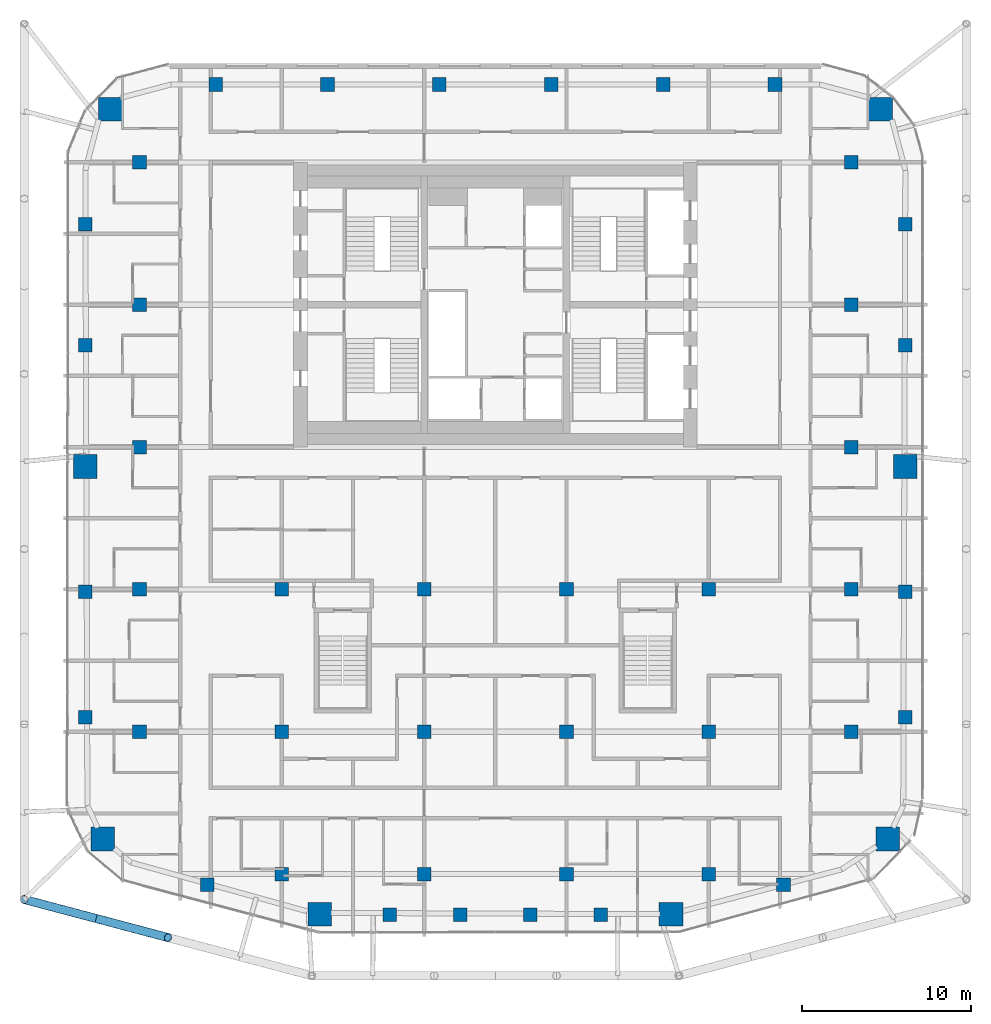
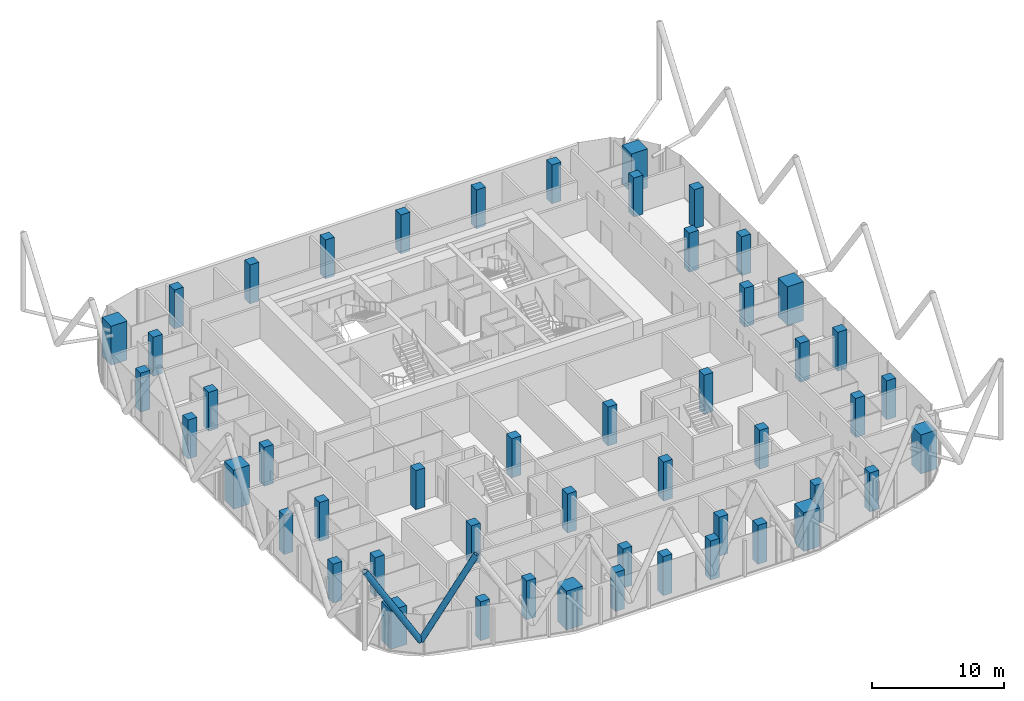
# One storey, part 1 of 31: 50 columns, 2 members.
"""IFC4 building model written with IfcOpenShell, lengths in metres."""

from ifc_helpers import new_model, si_unit, direction, frame, origin, origin_2d, place, context, subcontext, project, spatial, rectangle, hollow_circle, extrude, material, material_profile, profile_set, type_object, element, save


model = new_model("IFC4")

# Units and contexts
model_context = context("Model", 3, precision=1e-05, world=origin(), true_north=direction((0.0, 1.0)))
body_context = subcontext(model_context, "Body", "Model", "MODEL_VIEW")
ifc_project = project(units=[si_unit("LENGTHUNIT", "METRE"), si_unit("AREAUNIT", "SQUARE_METRE"), si_unit("VOLUMEUNIT", "CUBIC_METRE"), si_unit("PLANEANGLEUNIT", "RADIAN"), si_unit("MASSUNIT", "GRAM", prefix="KILO")], contexts=[model_context])

# Site, building, storey
site_placement = place(None, origin())
site = spatial("IfcSite", under=ifc_project, at=site_placement, CompositionType="ELEMENT")
building_placement = place(site_placement, origin())
building = spatial("IfcBuilding", under=site, at=building_placement, Name="Marenta Gate Hotel Tower", CompositionType="ELEMENT")
storey_placement = place(building_placement, frame((0.0, 0.0, 191.300048828125)))
storey = spatial("IfcBuildingStorey", under=building, at=storey_placement, Name="L43", CompositionType="ELEMENT", Elevation=191.300048828125)

# Columns
ifc_material_1 = material(Name="Concrete C60", Category="concrete")
ifc_material_profile_1 = material_profile(ifc_material_1, rectangle(XDim=0.800048828125, YDim=0.800048828125, at=origin_2d()), Name="800 x 800")
ifc_profile_set_1 = profile_set([ifc_material_profile_1], Name="Concrete C60")
column_type_1 = type_object("IfcColumnType", Name="Edge column 800 x 800 C60", PredefinedType="COLUMN", material=ifc_profile_set_1)
for number, where, z_axis, x_axis, name in (
    (1, (-24.199951171875, -15.951904296875, 0.0), (0.0, 0.0, 1.0), (1.0, 0.0, 0.0), "L43-EC-SW-W-1"),
    (2, (-24.199951171875, -8.55078125, 0.0), (0.0, 0.0, 1.0), (1.0, 0.0, 0.0), "L43-EC-SW-W-2"),
    (3, (-24.199951171875, 6.003173828125, 0.0), (0.0, 0.0, 1.0), (1.0, 0.0, 0.0), "L43-EC-W-NW-1"),
    (4, (-24.199951171875, 13.156494140625, 0.0), (0.0, 0.0, 1.0), (1.0, 0.0, 0.0), "L43-EC-W-NW-2"),
    (5, (-16.5068359375, 21.39990234375, 0.0), (0.0, 0.0, 1.0), (1.0, 0.0, 0.0), "L43-EC-NW-NE-1"),
    (6, (-9.904052734375, 21.39990234375, 0.0), (0.0, 0.0, 1.0), (1.0, 0.0, 0.0), "L43-EC-NW-NE-2"),
    (7, (-3.301513671875, 21.39990234375, 0.0), (0.0, 0.0, 1.0), (1.0, 0.0, 0.0), "L43-EC-NW-NE-3"),
    (8, (3.301513671875, 21.39990234375, 0.0), (0.0, 0.0, 1.0), (1.0, 0.0, 0.0), "L43-EC-NW-NE-4"),
    (9, (9.904052734375, 21.39990234375, 0.0), (0.0, 0.0, 1.0), (1.0, 0.0, 0.0), "L43-EC-NW-NE-5"),
    (10, (16.5068359375, 21.39990234375, 0.0), (0.0, 0.0, 1.0), (1.0, 0.0, 0.0), "L43-EC-NW-NE-6"),
    (11, (24.199951171875, 13.156494140625, 0.0), (0.0, 0.0, 1.0), (1.0, 0.0, 0.0), "L43-EC-NE-E-1"),
    (12, (24.199951171875, 6.003173828125, 0.0), (0.0, 0.0, 1.0), (1.0, 0.0, 0.0), "L43-EC-NE-E-2"),
    (13, (24.199951171875, -8.55078125, 0.0), (0.0, 0.0, 1.0), (1.0, 0.0, 0.0), "L43-EC-E-SE-1"),
    (14, (24.199951171875, -15.951904296875, 0.0), (0.0, 0.0, 1.0), (1.0, 0.0, 0.0), "L43-EC-E-SE-2"),
    (15, (17.0068359375, -25.839111328125, 0.0), (0.0, 0.0, 1.0), (1.0, 0.0, 0.0), "L43-EC-SE-SKE-1"),
    (16, (6.22021484375, -27.60009765625, 0.0), (0.0, 0.0, 1.0), (1.0, 0.0, 0.0), "L43-EC-SKE-SKW-1"),
    (17, (2.073486328125, -27.60009765625, 0.0), (0.0, 0.0, 1.0), (1.0, 0.0, 0.0), "L43-EC-SKE-SKW-2"),
    (18, (-2.073486328125, -27.60009765625, 0.0), (0.0, 0.0, 1.0), (1.0, 0.0, 0.0), "L43-EC-SKE-SKW-3"),
    (19, (-6.22021484375, -27.60009765625, 0.0), (0.0, 0.0, 1.0), (1.0, 0.0, 0.0), "L43-EC-SKE-SKW-4"),
    (20, (-17.0068359375, -25.839111328125, 0.0), (0.0, 0.0, 1.0), (1.0, 0.0, 0.0), "L43-EC-SKW-SW-1"),
):
    element("IfcColumn", number, at=place(storey_placement, frame(where, z_axis=z_axis, x_axis=x_axis)), inside=storey, type_object=column_type_1, Name=name, PredefinedType="COLUMN", context=body_context, shape_type="SweptSolid", body=[
        extrude(rectangle(XDim=0.800048828125, YDim=0.800048828125, at=origin_2d()), origin(), (0.0, 0.0, 1.0), 3.599853515625),
    ])
ifc_material_2 = material(Name="Concrete C60", Category="concrete")
ifc_material_profile_2 = material_profile(ifc_material_2, rectangle(XDim=0.800048828125, YDim=0.800048828125, at=origin_2d()), Name="800 x 800")
ifc_profile_set_2 = profile_set([ifc_material_profile_2], Name="Concrete C60")
column_type_2 = type_object("IfcColumnType", Name="Interior column 800 x 800 C60", PredefinedType="COLUMN", material=ifc_profile_set_2)
for number, where, z_axis, x_axis, name in (
    (21, (-21.0, -16.800048828125, 0.0), (0.0, 0.0, 1.0), (1.0, 0.0, 0.0), "L43-IC-4D"),
    (22, (-21.0, -8.39990234375, 0.0), (0.0, 0.0, 1.0), (1.0, 0.0, 0.0), "L43-IC-4E"),
    (23, (-21.0, 0.0, 0.0), (0.0, 0.0, 1.0), (1.0, 0.0, 0.0), "L43-IC-4F"),
    (24, (-21.0, 8.39990234375, 0.0), (0.0, 0.0, 1.0), (1.0, 0.0, 0.0), "L43-IC-4G"),
    (25, (-21.0, 16.800048828125, 0.0), (0.0, 0.0, 1.0), (1.0, 0.0, 0.0), "L43-IC-4H"),
    (26, (-12.60009765625, -25.199951171875, 0.0), (0.0, 0.0, 1.0), (1.0, 0.0, 0.0), "L43-IC-5C"),
    (27, (-12.60009765625, -16.800048828125, 0.0), (0.0, 0.0, 1.0), (1.0, 0.0, 0.0), "L43-IC-5D"),
    (28, (-12.60009765625, -8.39990234375, 0.0), (0.0, 0.0, 1.0), (1.0, 0.0, 0.0), "L43-IC-5E"),
    (29, (-4.199951171875, -25.199951171875, 0.0), (0.0, 0.0, 1.0), (1.0, 0.0, 0.0), "L43-IC-6C"),
    (30, (-4.199951171875, -16.800048828125, 0.0), (0.0, 0.0, 1.0), (1.0, 0.0, 0.0), "L43-IC-6D"),
    (31, (-4.199951171875, -8.39990234375, 0.0), (0.0, 0.0, 1.0), (1.0, 0.0, 0.0), "L43-IC-6E"),
    (32, (4.199951171875, -25.199951171875, 0.0), (0.0, 0.0, 1.0), (1.0, 0.0, 0.0), "L43-IC-7C"),
    (33, (4.199951171875, -16.800048828125, 0.0), (0.0, 0.0, 1.0), (1.0, 0.0, 0.0), "L43-IC-7D"),
    (34, (4.199951171875, -8.39990234375, 0.0), (0.0, 0.0, 1.0), (1.0, 0.0, 0.0), "L43-IC-7E"),
    (35, (12.60009765625, -25.199951171875, 0.0), (0.0, 0.0, 1.0), (1.0, 0.0, 0.0), "L43-IC-8C"),
    (36, (12.60009765625, -16.800048828125, 0.0), (0.0, 0.0, 1.0), (1.0, 0.0, 0.0), "L43-IC-8D"),
    (37, (12.60009765625, -8.39990234375, 0.0), (0.0, 0.0, 1.0), (1.0, 0.0, 0.0), "L43-IC-8E"),
    (38, (21.0, -16.800048828125, 0.0), (0.0, 0.0, 1.0), (1.0, 0.0, 0.0), "L43-IC-9D"),
    (39, (21.0, -8.39990234375, 0.0), (0.0, 0.0, 1.0), (1.0, 0.0, 0.0), "L43-IC-9E"),
    (40, (21.0, 0.0, 0.0), (0.0, 0.0, 1.0), (1.0, 0.0, 0.0), "L43-IC-9F"),
    (41, (21.0, 8.39990234375, 0.0), (0.0, 0.0, 1.0), (1.0, 0.0, 0.0), "L43-IC-9G"),
    (42, (21.0, 16.800048828125, 0.0), (0.0, 0.0, 1.0), (1.0, 0.0, 0.0), "L43-IC-9H"),
):
    element("IfcColumn", number, at=place(storey_placement, frame(where, z_axis=z_axis, x_axis=x_axis)), inside=storey, type_object=column_type_2, Name=name, PredefinedType="COLUMN", context=body_context, shape_type="SweptSolid", body=[
        extrude(rectangle(XDim=0.800048828125, YDim=0.800048828125, at=origin_2d()), origin(), (0.0, 0.0, 1.0), 3.599853515625),
    ])
ifc_material_3 = material(Name="Concrete C60", Category="concrete")
ifc_material_profile_3 = material_profile(ifc_material_3, rectangle(XDim=1.39990234375, YDim=1.39990234375, at=origin_2d()), Name="1400 x 1400")
ifc_profile_set_3 = profile_set([ifc_material_profile_3], Name="Concrete C60")
column_type_3 = type_object("IfcColumnType", Name="Mega column 1400 x 1400 C60", PredefinedType="COLUMN", material=ifc_profile_set_3)
for number, where, z_axis, x_axis, name in (
    (43, (-23.1630859375, -23.133056640625, 0.0), (0.0, 0.0, 1.0), (1.0, 0.0, 0.0), "L43-MC-SW"),
    (44, (-10.3662109375, -27.57470703125, 0.0), (0.0, 0.0, 1.0), (1.0, 0.0, 0.0), "L43-MC-SKW"),
    (45, (10.3662109375, -27.57470703125, 0.0), (0.0, 0.0, 1.0), (1.0, 0.0, 0.0), "L43-MC-SKE"),
    (46, (23.1630859375, -23.133056640625, 0.0), (0.0, 0.0, 1.0), (1.0, 0.0, 0.0), "L43-MC-SE"),
    (47, (24.199951171875, -1.14990234375, 0.0), (0.0, 0.0, 1.0), (1.0, 0.0, 0.0), "L43-MC-E"),
    (48, (22.735595703125, 19.935546875, 0.0), (0.0, 0.0, 1.0), (1.0, 0.0, 0.0), "L43-MC-NE"),
    (49, (-22.735595703125, 19.935546875, 0.0), (0.0, 0.0, 1.0), (1.0, 0.0, 0.0), "L43-MC-NW"),
    (50, (-24.199951171875, -1.14990234375, 0.0), (0.0, 0.0, 1.0), (1.0, 0.0, 0.0), "L43-MC-W"),
):
    element("IfcColumn", number, at=place(storey_placement, frame(where, z_axis=z_axis, x_axis=x_axis)), inside=storey, type_object=column_type_3, Name=name, PredefinedType="COLUMN", context=body_context, shape_type="SweptSolid", body=[
        extrude(rectangle(XDim=1.39990234375, YDim=1.39990234375, at=origin_2d()), origin(), (0.0, 0.0, 1.0), 3.599853515625),
    ])

# Members
ifc_material_4 = material(Name="Steel S355J2W", Category="steel")
ifc_material_profile_4 = material_profile(ifc_material_4, hollow_circle(Radius=0.25390625, WallThickness=0.02490234375, at=origin_2d()), Name="CHS 508x25")
ifc_profile_set_4 = profile_set([ifc_material_profile_4], Name="Steel S355J2W")
member_type = type_object("IfcMemberType", Name="Diagrid diagonal Z3 CHS 508x25", PredefinedType="BRACE", material=ifc_profile_set_4)
for number, where, z_axis, x_axis, name in (
    (51, (-23.559814453125, -27.8251953125, 3.139892578125), (0.502924018666, -0.133433548941, 0.853968921838), (0.256443187528, 0.96655930577, 0.0), "L43-DG-23"),
    (52, (-23.559814453125, -27.8251953125, 3.139892578125), (-0.502924018666, 0.133433548941, 0.853968921838), (-0.256443187528, -0.96655930577, 0.0), "L43-DG-24"),
):
    element("IfcMember", number, at=place(storey_placement, frame(where, z_axis=z_axis, x_axis=x_axis)), inside=storey, type_object=member_type, Name=name, PredefinedType="BRACE", context=body_context, shape_type="SweptSolid", body=[
        extrude(hollow_circle(Radius=0.25390625, WallThickness=0.02490234375, at=origin_2d()), origin(), (0.0, 0.0, 1.0), 8.43115234375),
    ])

save(model, "model.ifc")
